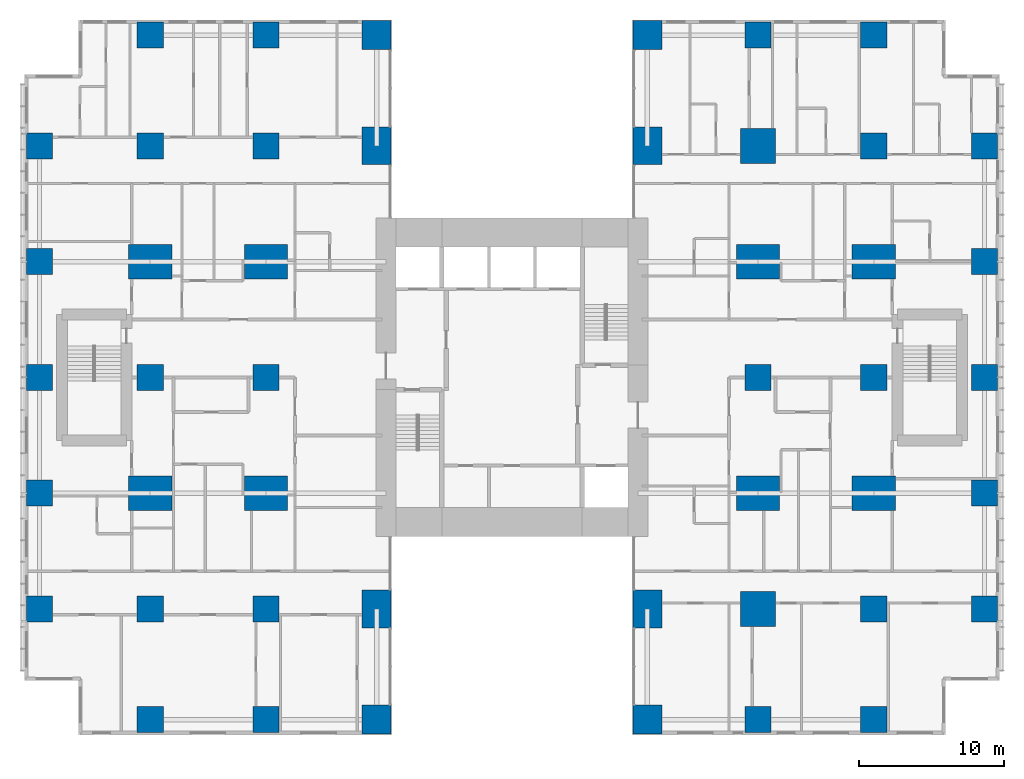
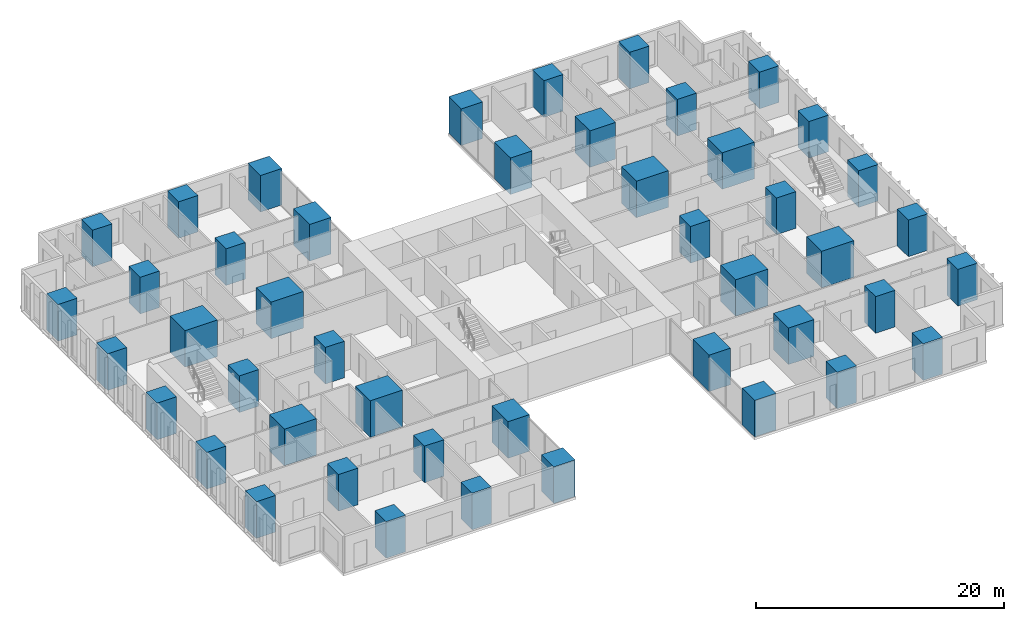
# One storey, part 1 of 20: 46 columns.
"""IFC4 building model written with IfcOpenShell, lengths in metres."""

from ifc_helpers import new_model, si_unit, direction, frame, origin, origin_2d, place, context, subcontext, project, spatial, rectangle, extrude, material, material_profile, profile_set, type_object, element, save


model = new_model("IFC4")

# Units and contexts
model_context = context("Model", 3, precision=1e-05, world=origin(), true_north=direction((0.0, 1.0)))
body_context = subcontext(model_context, "Body", "Model", "MODEL_VIEW")
ifc_project = project(units=[si_unit("LENGTHUNIT", "METRE"), si_unit("AREAUNIT", "SQUARE_METRE"), si_unit("VOLUMEUNIT", "CUBIC_METRE"), si_unit("PLANEANGLEUNIT", "RADIAN"), si_unit("MASSUNIT", "GRAM", prefix="KILO")], contexts=[model_context])

# Site, building, storey
site_placement = place(None, origin())
site = spatial("IfcSite", under=ifc_project, at=site_placement, CompositionType="ELEMENT")
building_placement = place(site_placement, origin())
building = spatial("IfcBuilding", under=site, at=building_placement, Name="Cleftline Residences", CompositionType="ELEMENT")
storey_placement = place(building_placement, frame((0.0, 0.0, 193.0)))
storey = spatial("IfcBuildingStorey", under=building, at=storey_placement, Name="L50", CompositionType="ELEMENT", Elevation=193.0)

# Columns
ifc_material_1 = material(Name="Concrete B70", Category="concrete")
ifc_material_profile_1 = material_profile(ifc_material_1, rectangle(XDim=1.800048828125, YDim=1.800048828125, at=origin_2d()))
ifc_profile_set_1 = profile_set([ifc_material_profile_1], Name="Concrete B70")
column_type_1 = type_object("IfcColumnType", Name="COLUMN RC1800X1800", PredefinedType="COLUMN", material=ifc_profile_set_1)
for number, where, z_axis, x_axis, name in (
    (1, (0.35009765625, 8.0, 0.0), (0.0, 0.0, 1.0), (1.0, 0.0, 0.0), "Column D/3"),
    (2, (0.35009765625, 16.0, 0.0), (0.0, 0.0, 1.0), (1.0, 0.0, 0.0), "Column E/3"),
    (3, (0.35009765625, 24.0, 0.0), (0.0, 0.0, 1.0), (1.0, 0.0, 0.0), "Column F/3"),
    (4, (0.35009765625, 32.0, 0.0), (0.0, 0.0, 1.0), (1.0, 0.0, 0.0), "Column G/3"),
    (5, (0.35009765625, 40.0, 0.0), (0.0, 0.0, 1.0), (1.0, 0.0, 0.0), "Column H/3"),
    (6, (8.0, 0.35009765625, 0.0), (0.0, 0.0, 1.0), (1.0, 0.0, 0.0), "Column C/4"),
    (7, (8.0, 8.0, 0.0), (0.0, 0.0, 1.0), (1.0, 0.0, 0.0), "Column D/4"),
    (8, (8.0, 24.0, 0.0), (0.0, 0.0, 1.0), (1.0, 0.0, 0.0), "Column F/4"),
    (9, (8.0, 40.0, 0.0), (0.0, 0.0, 1.0), (1.0, 0.0, 0.0), "Column H/4"),
    (10, (8.0, 47.64990234375, 0.0), (0.0, 0.0, 1.0), (1.0, 0.0, 0.0), "Column J/4"),
    (11, (16.0, 0.35009765625, 0.0), (0.0, 0.0, 1.0), (1.0, 0.0, 0.0), "Column C/5"),
    (12, (16.0, 8.0, 0.0), (0.0, 0.0, 1.0), (1.0, 0.0, 0.0), "Column D/5"),
    (13, (16.0, 24.0, 0.0), (0.0, 0.0, 1.0), (1.0, 0.0, 0.0), "Column F/5"),
    (14, (16.0, 40.0, 0.0), (0.0, 0.0, 1.0), (1.0, 0.0, 0.0), "Column H/5"),
    (15, (16.0, 47.64990234375, 0.0), (0.0, 0.0, 1.0), (1.0, 0.0, 0.0), "Column J/5"),
    (16, (50.0, 0.35009765625, 0.0), (0.0, 0.0, 1.0), (1.0, 0.0, 0.0), "Column C/9"),
    (17, (50.0, 24.0, 0.0), (0.0, 0.0, 1.0), (1.0, 0.0, 0.0), "Column F/9"),
    (18, (50.0, 47.64990234375, 0.0), (0.0, 0.0, 1.0), (1.0, 0.0, 0.0), "Column J/9"),
    (19, (58.0, 0.35009765625, 0.0), (0.0, 0.0, 1.0), (1.0, 0.0, 0.0), "Column C/10"),
    (20, (58.0, 8.0, 0.0), (0.0, 0.0, 1.0), (1.0, 0.0, 0.0), "Column D/10"),
    (21, (58.0, 24.0, 0.0), (0.0, 0.0, 1.0), (1.0, 0.0, 0.0), "Column F/10"),
    (22, (58.0, 40.0, 0.0), (0.0, 0.0, 1.0), (1.0, 0.0, 0.0), "Column H/10"),
    (23, (58.0, 47.64990234375, 0.0), (0.0, 0.0, 1.0), (1.0, 0.0, 0.0), "Column J/10"),
    (24, (65.64990234375, 8.0, 0.0), (0.0, 0.0, 1.0), (1.0, 0.0, 0.0), "Column D/11"),
    (25, (65.64990234375, 16.0, 0.0), (0.0, 0.0, 1.0), (1.0, 0.0, 0.0), "Column E/11"),
    (26, (65.64990234375, 24.0, 0.0), (0.0, 0.0, 1.0), (1.0, 0.0, 0.0), "Column F/11"),
    (27, (65.64990234375, 32.0, 0.0), (0.0, 0.0, 1.0), (1.0, 0.0, 0.0), "Column G/11"),
    (28, (65.64990234375, 40.0, 0.0), (0.0, 0.0, 1.0), (1.0, 0.0, 0.0), "Column H/11"),
):
    element("IfcColumn", number, at=place(storey_placement, frame(where, z_axis=z_axis, x_axis=x_axis)), inside=storey, type_object=column_type_1, Name=name, PredefinedType="COLUMN", context=body_context, shape_type="SweptSolid", body=[
        extrude(rectangle(XDim=1.800048828125, YDim=1.800048828125, at=origin_2d()), origin(), (0.0, 0.0, 1.0), 3.60009765625),
    ])
ifc_material_2 = material(Name="Concrete B70", Category="concrete")
ifc_material_profile_2 = material_profile(ifc_material_2, rectangle(XDim=2.0, YDim=2.0, at=origin_2d()))
ifc_profile_set_2 = profile_set([ifc_material_profile_2], Name="Concrete B70")
column_type_2 = type_object("IfcColumnType", Name="COLUMN RC2000X2000", PredefinedType="COLUMN", material=ifc_profile_set_2)
for number, where, z_axis, x_axis, name in (
    (29, (23.64990234375, 0.35009765625, 0.0), (0.0, 0.0, 1.0), (1.0, 0.0, 0.0), "Column C/6"),
    (30, (23.64990234375, 47.64990234375, 0.0), (0.0, 0.0, 1.0), (1.0, 0.0, 0.0), "Column J/6"),
    (31, (42.35009765625, 0.35009765625, 0.0), (0.0, 0.0, 1.0), (1.0, 0.0, 0.0), "Column C/8"),
    (32, (42.35009765625, 47.64990234375, 0.0), (0.0, 0.0, 1.0), (1.0, 0.0, 0.0), "Column J/8"),
):
    element("IfcColumn", number, at=place(storey_placement, frame(where, z_axis=z_axis, x_axis=x_axis)), inside=storey, type_object=column_type_2, Name=name, PredefinedType="COLUMN", context=body_context, shape_type="SweptSolid", body=[
        extrude(rectangle(XDim=2.0, YDim=2.0, at=origin_2d()), origin(), (0.0, 0.0, 1.0), 3.60009765625),
    ])
ifc_material_3 = material(Name="Concrete B70", Category="concrete")
ifc_material_profile_3 = material_profile(ifc_material_3, rectangle(XDim=2.0, YDim=2.60009765625, at=origin_2d()))
ifc_profile_set_3 = profile_set([ifc_material_profile_3], Name="Concrete B70")
column_type_3 = type_object("IfcColumnType", Name="COLUMN RC2000X2600", PredefinedType="COLUMN", material=ifc_profile_set_3)
for number, where, z_axis, x_axis, name in (
    (33, (23.64990234375, 8.0, 0.0), (0.0, 0.0, 1.0), (1.0, 0.0, 0.0), "Column D/6"),
    (34, (23.64990234375, 40.0, 0.0), (0.0, 0.0, 1.0), (1.0, 0.0, 0.0), "Column H/6"),
    (35, (42.35009765625, 8.0, 0.0), (0.0, 0.0, 1.0), (1.0, 0.0, 0.0), "Column D/8"),
    (36, (42.35009765625, 40.0, 0.0), (0.0, 0.0, 1.0), (1.0, 0.0, 0.0), "Column H/8"),
):
    element("IfcColumn", number, at=place(storey_placement, frame(where, z_axis=z_axis, x_axis=x_axis)), inside=storey, type_object=column_type_3, Name=name, PredefinedType="COLUMN", context=body_context, shape_type="SweptSolid", body=[
        extrude(rectangle(XDim=2.0, YDim=2.60009765625, at=origin_2d()), origin(), (0.0, 0.0, 1.0), 3.60009765625),
    ])
ifc_material_4 = material(Name="Concrete B70", Category="concrete")
ifc_material_profile_4 = material_profile(ifc_material_4, rectangle(XDim=2.39990234375, YDim=2.39990234375, at=origin_2d()))
ifc_profile_set_4 = profile_set([ifc_material_profile_4], Name="Concrete B70")
column_type_4 = type_object("IfcColumnType", Name="COLUMN RC2400X2400", PredefinedType="COLUMN", material=ifc_profile_set_4)
for number, where, z_axis, x_axis, name in (
    (37, (50.0, 8.0, 0.0), (0.0, 0.0, 1.0), (1.0, 0.0, 0.0), "Column D/9"),
    (38, (50.0, 40.0, 0.0), (0.0, 0.0, 1.0), (1.0, 0.0, 0.0), "Column H/9"),
):
    element("IfcColumn", number, at=place(storey_placement, frame(where, z_axis=z_axis, x_axis=x_axis)), inside=storey, type_object=column_type_4, Name=name, PredefinedType="COLUMN", context=body_context, shape_type="SweptSolid", body=[
        extrude(rectangle(XDim=2.39990234375, YDim=2.39990234375, at=origin_2d()), origin(), (0.0, 0.0, 1.0), 3.60009765625),
    ])
ifc_material_5 = material(Name="Concrete B70", Category="concrete")
ifc_material_profile_5 = material_profile(ifc_material_5, rectangle(XDim=3.0, YDim=2.39990234375, at=origin_2d()))
ifc_profile_set_5 = profile_set([ifc_material_profile_5], Name="Concrete B70")
column_type_5 = type_object("IfcColumnType", Name="COLUMN RC3000X2400", PredefinedType="COLUMN", material=ifc_profile_set_5)
for number, where, z_axis, x_axis, name in (
    (39, (8.0, 16.0, 0.0), (0.0, 0.0, 1.0), (1.0, 0.0, 0.0), "Column E/4"),
    (40, (8.0, 32.0, 0.0), (0.0, 0.0, 1.0), (1.0, 0.0, 0.0), "Column G/4"),
    (41, (16.0, 16.0, 0.0), (0.0, 0.0, 1.0), (1.0, 0.0, 0.0), "Column E/5"),
    (42, (16.0, 32.0, 0.0), (0.0, 0.0, 1.0), (1.0, 0.0, 0.0), "Column G/5"),
    (43, (50.0, 16.0, 0.0), (0.0, 0.0, 1.0), (1.0, 0.0, 0.0), "Column E/9"),
    (44, (50.0, 32.0, 0.0), (0.0, 0.0, 1.0), (1.0, 0.0, 0.0), "Column G/9"),
    (45, (58.0, 16.0, 0.0), (0.0, 0.0, 1.0), (1.0, 0.0, 0.0), "Column E/10"),
    (46, (58.0, 32.0, 0.0), (0.0, 0.0, 1.0), (1.0, 0.0, 0.0), "Column G/10"),
):
    element("IfcColumn", number, at=place(storey_placement, frame(where, z_axis=z_axis, x_axis=x_axis)), inside=storey, type_object=column_type_5, Name=name, PredefinedType="COLUMN", context=body_context, shape_type="SweptSolid", body=[
        extrude(rectangle(XDim=3.0, YDim=2.39990234375, at=origin_2d()), origin(), (0.0, 0.0, 1.0), 3.60009765625),
    ])

save(model, "model.ifc")
